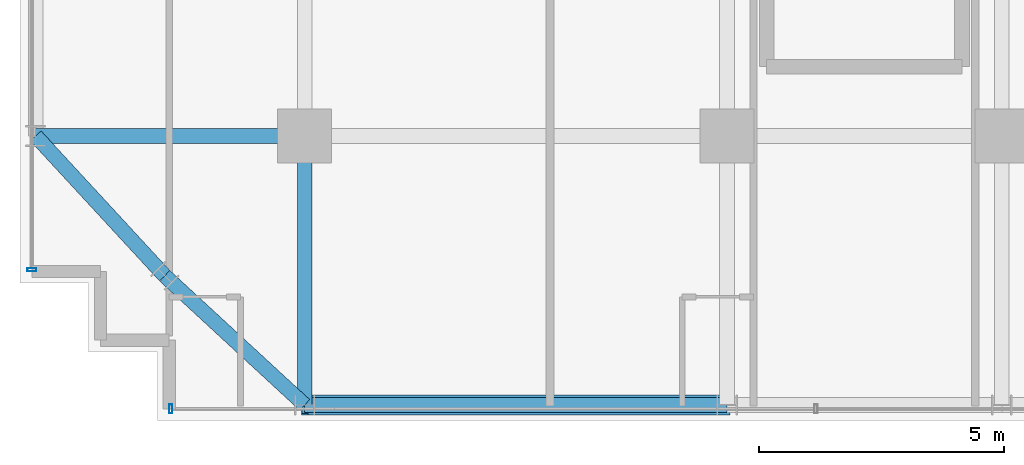
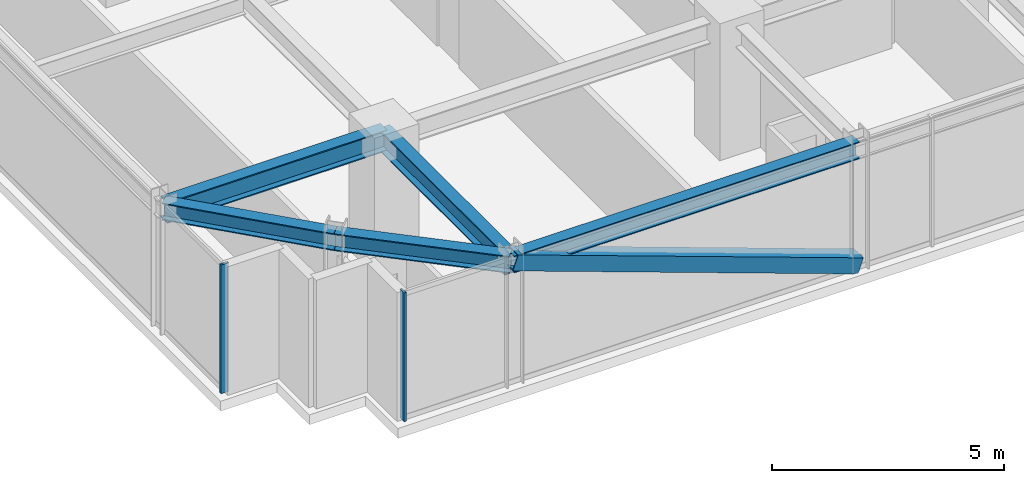
# One storey, part 2 of 29: 5 beams, 3 members, 2 elements without a shape of their own.
"""IFC4 building model written with IfcOpenShell, lengths in metres."""

from ifc_helpers import new_model, si_unit, direction, frame, origin, origin_2d, place, context, subcontext, project, spatial, hollow_rectangle, i_section, extrude, source, transform, mapped, material, material_profile, profile_set, type_object, element, aggregate, save


model = new_model("IFC4")

# Units and contexts
model_context = context("Model", 3, precision=1e-05, world=origin(), true_north=direction((0.0, 1.0)))
body_context = subcontext(model_context, "Body", "Model", "MODEL_VIEW")
ifc_project = project(units=[si_unit("LENGTHUNIT", "METRE"), si_unit("AREAUNIT", "SQUARE_METRE"), si_unit("VOLUMEUNIT", "CUBIC_METRE"), si_unit("PLANEANGLEUNIT", "RADIAN"), si_unit("MASSUNIT", "GRAM", prefix="KILO")], contexts=[model_context])

# Site, building, storey
site_placement = place(None, origin())
site = spatial("IfcSite", under=ifc_project, at=site_placement, CompositionType="ELEMENT")
building_placement = place(site_placement, origin())
building = spatial("IfcBuilding", under=site, at=building_placement, Name="Nahalor Promenade Grand Hotel", CompositionType="ELEMENT")
storey_placement = place(building_placement, frame((0.0, 0.0, 189.14990234375)))
storey = spatial("IfcBuildingStorey", under=building, at=storey_placement, Name="L48", CompositionType="ELEMENT", Elevation=189.14990234375)

# Beams
ifc_material_1 = material(Name="Steel S355JR", Category="steel")
ifc_material_profile_1 = material_profile(ifc_material_1, i_section(OverallWidth=0.3, OverallDepth=0.55, WebThickness=0.015, FlangeThickness=0.029, at=origin_2d()), Name="HEB 550")
ifc_profile_set_1 = profile_set([ifc_material_profile_1], Name="Steel S355JR")
beam_type_1 = type_object("IfcBeamType", Name="Beam-Girder-HEB550", PredefinedType="BEAM", material=ifc_profile_set_1)
shared_shape_1 = source(origin(), body_context, "Body", "SweptSolid", [
    extrude(i_section(OverallWidth=0.3, OverallDepth=0.55, WebThickness=0.015, FlangeThickness=0.029, at=origin_2d()), origin(), (0.0, 0.0, 1.0), 5.47998046875),
])
for number, where, z_axis, x_axis, name in (
    (1, (-22.47998046875, -17.0, 3.114990234375), (1.0, 0.0, 0.0), (0.0, 1.0, 0.0), "BM-L48-GX-0-0"),
    (2, (-17.0, -22.47998046875, 3.114990234375), (0.0, 1.0, 0.0), (-1.0, 0.0, 0.0), "BM-L48-GY-0-0"),
):
    element("IfcBeam", number, at=place(storey_placement, frame(where, z_axis=z_axis, x_axis=x_axis)), inside=storey, type_object=beam_type_1, Name=name, PredefinedType="BEAM", context=body_context, shape_type="MappedRepresentation", body=[
        mapped(shared_shape_1, transform((0.0, 0.0, 0.0), scale=1.0)),
    ])
ifc_material_profile_2 = material_profile(ifc_material_1, i_section(OverallWidth=0.3, OverallDepth=0.45, WebThickness=0.014, FlangeThickness=0.026, at=origin_2d()), Name="HEB 450")
ifc_profile_set_2 = profile_set([ifc_material_profile_2], Name="Steel S355JR")
beam_type_2 = type_object("IfcBeamType", Name="Beam-Spandrel-HEB450", PredefinedType="SPANDREL", material=ifc_profile_set_2)
shared_shape_2 = source(origin(), body_context, "Body", "SweptSolid", [
    extrude(i_section(OverallWidth=0.3, OverallDepth=0.45, WebThickness=0.014, FlangeThickness=0.026, at=origin_2d()), origin(), (0.0, 0.0, 1.0), 8.60009765625),
])
beam_placement = place(storey_placement, frame((-17.0, -22.47998046875, 3.1650390625), z_axis=(1.0, 0.0, 0.0), x_axis=(0.0, 1.0, 0.0)))
element("IfcBeam", 3, at=beam_placement, inside=storey, type_object=beam_type_2, Name="BM-L48-SP-S-0", PredefinedType="SPANDREL", context=body_context, shape_type="MappedRepresentation", body=[
    mapped(shared_shape_2, transform((0.0, 0.0, 0.0), scale=1.0)),
])
shared_shape_3 = source(origin(), body_context, "Body", "SweptSolid", [
    extrude(i_section(OverallWidth=0.3, OverallDepth=0.45, WebThickness=0.014, FlangeThickness=0.026, at=origin_2d()), origin(), (0.0, 0.0, 1.0), 3.878173828125),
])
for number, where, z_axis, x_axis, name in (
    (4, (-17.0, -22.47998046875, 3.1650390625), (-0.73492893846, 0.678144125843, 0.0), (-0.678144125843, -0.73492893846, 0.0), "BM-L48-SPC-SW-1"),
    (5, (-19.85009765625, -19.85009765625, 3.1650390625), (-0.678144125843, 0.73492893846, 0.0), (-0.73492893846, -0.678144125843, 0.0), "BM-L48-SPC-SW-2"),
):
    element("IfcBeam", number, at=place(storey_placement, frame(where, z_axis=z_axis, x_axis=x_axis)), inside=storey, type_object=beam_type_2, Name=name, PredefinedType="SPANDREL", context=body_context, shape_type="MappedRepresentation", body=[
        mapped(shared_shape_3, transform((0.0, 0.0, 0.0), scale=1.0)),
    ])

# Member
ifc_material_profile_3 = material_profile(ifc_material_1, hollow_rectangle(XDim=0.4, YDim=0.4, WallThickness=0.022, at=origin_2d()), Name="SHS 400x400x22")
ifc_profile_set_3 = profile_set([ifc_material_profile_3], Name="Steel S355JR")
member_type_1 = type_object("IfcMemberType", Name="Mem-ExoBrace-SHS400", PredefinedType="BRACE", material=ifc_profile_set_3)
shared_shape_4 = source(origin(), body_context, "Body", "SweptSolid", [
    extrude(hollow_rectangle(XDim=0.4, YDim=0.4, WallThickness=0.022, at=origin_2d()), origin(), (0.0, 0.0, 1.0), 9.138427734375),
])
member_1_placement = place(storey_placement, frame((-8.39990234375, -22.47998046875, 0.150146484375), z_axis=(-0.941103144716, 0.0, 0.338119610501), x_axis=(0.0, -1.0, 0.0)))
element("IfcMember", 6, at=member_1_placement, inside=storey, type_object=member_type_1, Name="EXO-L48-S-0", PredefinedType="BRACE", context=body_context, shape_type="MappedRepresentation", body=[
    mapped(shared_shape_4, transform((0.0, 0.0, 0.0), scale=1.0)),
])

# Curtain wall, member
ifc_material_2 = material(Name="Anodised Bronze Aluminium EN AW-6063 T6", Category="aluminium")
curtain_wall_type = type_object("IfcCurtainWallType", Name="CW2 Typical Hotel Flush Bronze Unitised Curtain Wall", PredefinedType="USERDEFINED", material=ifc_material_2)
curtain_wall_1_placement = place(storey_placement, origin())
curtain_wall_1 = element("IfcCurtainWall", 7, at=curtain_wall_1_placement, inside=storey, type_object=curtain_wall_type, Name="L48 Curtain Wall CW-L48-S-1", ObjectType="UNITISED_CURTAIN_WALL", PredefinedType="USERDEFINED")
ifc_material_profile_4 = material_profile(ifc_material_2, hollow_rectangle(XDim=0.065, YDim=0.18, WallThickness=0.004, at=origin_2d()), Name="CWM 65x180x4")
ifc_profile_set_4 = profile_set([ifc_material_profile_4], Name="Anodised Bronze Aluminium EN AW-6063 T6")
member_type_2 = type_object("IfcMemberType", Name="CWM2 Typical Bronze Mullion 65x180", PredefinedType="MULLION", material=ifc_profile_set_4)
shared_shape_5 = source(origin(), body_context, "Body", "SweptSolid", [
    extrude(hollow_rectangle(XDim=0.065, YDim=0.18, WallThickness=0.004, at=origin_2d()), origin(), (0.0, 0.0, 1.0), 3.39013671875),
])
member_2_placement = place(storey_placement, frame((-19.7275390625, -22.56005859375, 0.0), z_axis=(0.0, 0.0, 1.0), x_axis=(1.0, 0.0, 0.0)))
member_2 = element("IfcMember", 8, at=member_2_placement, type_object=member_type_2, Name="CW-L48-S-1 Mullion 0", PredefinedType="MULLION", context=body_context, shape_type="MappedRepresentation", body=[
    mapped(shared_shape_5, transform((0.0, 0.0, 0.0), scale=1.0)),
])
aggregate(curtain_wall_1, [member_2])

curtain_wall_2_placement = place(storey_placement, origin())
curtain_wall_2 = element("IfcCurtainWall", 9, at=curtain_wall_2_placement, inside=storey, type_object=curtain_wall_type, Name="L48 Curtain Wall CW-L48-W-1", ObjectType="UNITISED_CURTAIN_WALL", PredefinedType="USERDEFINED")
member_3_placement = place(storey_placement, frame((-22.56005859375, -19.7275390625, 0.0), z_axis=(0.0, 0.0, 1.0), x_axis=(0.0, 1.0, 0.0)))
member_3 = element("IfcMember", 10, at=member_3_placement, type_object=member_type_2, Name="CW-L48-W-1 Mullion 0", PredefinedType="MULLION", context=body_context, shape_type="MappedRepresentation", body=[
    mapped(shared_shape_5, transform((0.0, 0.0, 0.0), scale=1.0)),
])
aggregate(curtain_wall_2, [member_3])

save(model, "model.ifc")
